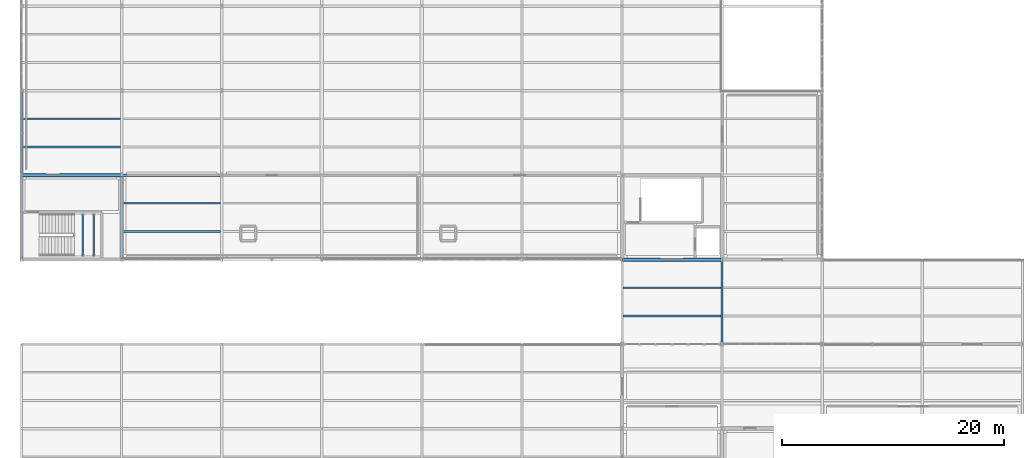
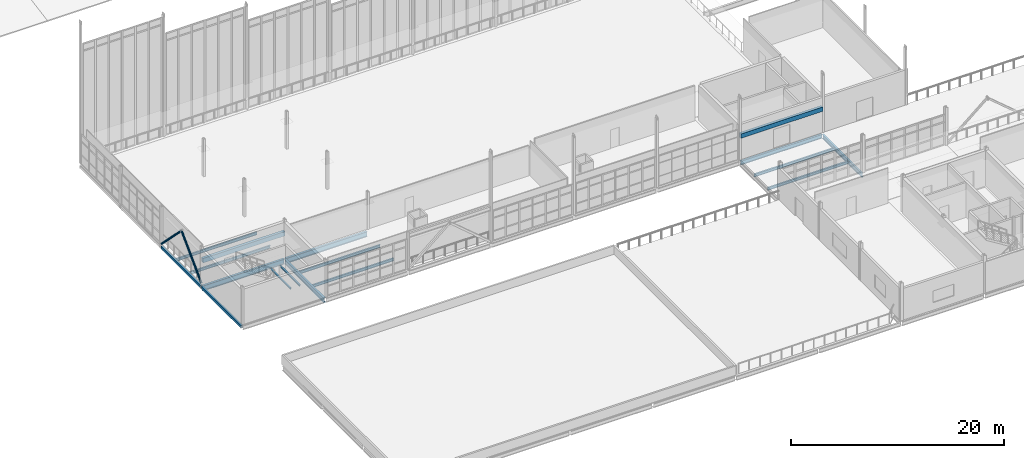
# One storey, part 36 of 166: 17 beams, 2 members.
"""IFC4 building model written with IfcOpenShell, lengths in metres."""

from ifc_helpers import new_model, si_unit, direction, frame, origin, origin_2d, place, context, subcontext, project, spatial, rectangle, hollow_rectangle, hollow_circle, i_section, extrude, material, material_profile, profile_set, type_object, element, save


model = new_model("IFC4")

# Units and contexts
model_context = context("Model", 3, precision=1e-05, world=origin(), true_north=direction((0.0, 1.0)))
body_context = subcontext(model_context, "Body", "Model", "MODEL_VIEW")
ifc_project = project(units=[si_unit("LENGTHUNIT", "METRE"), si_unit("AREAUNIT", "SQUARE_METRE"), si_unit("VOLUMEUNIT", "CUBIC_METRE"), si_unit("PLANEANGLEUNIT", "RADIAN"), si_unit("MASSUNIT", "GRAM", prefix="KILO")], contexts=[model_context])

# Site, building, storey
site_placement = place(None, origin())
site = spatial("IfcSite", under=ifc_project, at=site_placement, CompositionType="ELEMENT")
building_placement = place(site_placement, origin())
building = spatial("IfcBuilding", under=site, at=building_placement, Name="Caisbarro Railhouse Central Library", CompositionType="ELEMENT")
storey_placement = place(building_placement, frame((0.0, 0.0, 9.360107421875)))
storey = spatial("IfcBuildingStorey", under=building, at=storey_placement, Name="L02", CompositionType="ELEMENT", Elevation=9.360107421875)

# Beams
ifc_material_1 = material(Name="Steel ASTM A572 Grade 50", Category="steel")
ifc_material_profile_1 = material_profile(ifc_material_1, i_section(OverallWidth=0.22802734375, OverallDepth=0.60791015625, WebThickness=0.01123046875, FlangeThickness=0.017333984375, FilletRadius=0.02197265625, at=origin_2d()), Name="W610X113.0")
ifc_profile_set_1 = profile_set([ifc_material_profile_1], Name="Steel ASTM A572 Grade 50")
beam_type_1 = type_object("IfcBeamType", Name="BM-G04", PredefinedType="BEAM", material=ifc_profile_set_1)
for number, where, z_axis, x_axis, name in (
    (1, (0.080078125, 38.0, -0.524169921875), (1.0, 0.0, 0.0), (0.0, 1.0, 0.0), "G04 beam L02 #1359"),
    (2, (9.080078125, 38.0, -0.524169921875), (1.0, 0.0, 0.0), (0.0, 1.0, 0.0), "G04 beam L02 #1360"),
):
    element("IfcBeam", number, at=place(storey_placement, frame(where, z_axis=z_axis, x_axis=x_axis)), inside=storey, type_object=beam_type_1, Name=name, PredefinedType="BEAM", context=body_context, shape_type="SweptSolid", body=[
        extrude(i_section(OverallWidth=0.22802734375, OverallDepth=0.60791015625, WebThickness=0.01123046875, FlangeThickness=0.017333984375, FilletRadius=0.02197265625, at=origin_2d()), origin(), (0.0, 0.0, 1.0), 8.83984375),
    ])
ifc_material_profile_2 = material_profile(ifc_material_1, i_section(OverallWidth=0.208984375, OverallDepth=0.532958984375, WebThickness=0.01025390625, FlangeThickness=0.015625, FilletRadius=0.02001953125, at=origin_2d()), Name="W530X92.0")
ifc_profile_set_2 = profile_set([ifc_material_profile_2], Name="Steel ASTM A572 Grade 50")
beam_type_2 = type_object("IfcBeamType", Name="BM-G06", PredefinedType="BEAM", material=ifc_profile_set_2)
beam_1_placement = place(storey_placement, frame((9.0, 30.47998046875, -0.486572265625), z_axis=(0.0, 1.0, 0.0), x_axis=(-1.0, 0.0, 0.0)))
element("IfcBeam", 3, at=beam_1_placement, inside=storey, type_object=beam_type_2, Name="G06 beam L02 #1392", PredefinedType="BEAM", context=body_context, shape_type="SweptSolid", body=[
    extrude(i_section(OverallWidth=0.208984375, OverallDepth=0.532958984375, WebThickness=0.01025390625, FlangeThickness=0.015625, FilletRadius=0.02001953125, at=origin_2d()), origin(), (0.0, 0.0, 1.0), 7.43994140625),
])
ifc_material_profile_3 = material_profile(ifc_material_1, i_section(OverallWidth=0.194091796875, OverallDepth=0.468994140625, WebThickness=0.0126953125, FlangeThickness=0.0205078125, FilletRadius=0.01806640625, at=origin_2d()), Name="W460X106.0")
ifc_profile_set_3 = profile_set([ifc_material_profile_3], Name="Steel ASTM A572 Grade 50")
beam_type_3 = type_object("IfcBeamType", Name="BM-G07", PredefinedType="BEAM", material=ifc_profile_set_3)
beam_2_placement = place(storey_placement, frame((63.0, 22.8798828125, -0.444580078125), z_axis=(0.0, 1.0, 0.0), x_axis=(-1.0, 0.0, 0.0)))
element("IfcBeam", 4, at=beam_2_placement, inside=storey, type_object=beam_type_3, Name="G07 beam L02 #1613", PredefinedType="BEAM", context=body_context, shape_type="SweptSolid", body=[
    extrude(i_section(OverallWidth=0.194091796875, OverallDepth=0.468994140625, WebThickness=0.0126953125, FlangeThickness=0.0205078125, FilletRadius=0.01806640625, at=origin_2d()), origin(), (0.0, 0.0, 1.0), 7.440185546875),
])
ifc_material_profile_4 = material_profile(ifc_material_1, i_section(OverallWidth=0.1669921875, OverallDepth=0.31689453125, WebThickness=0.007568359375, FlangeThickness=0.01318359375, FilletRadius=0.011962890625, at=origin_2d()), Name="W310X52.0")
ifc_profile_set_4 = profile_set([ifc_material_profile_4], Name="Steel ASTM A572 Grade 50")
beam_type_4 = type_object("IfcBeamType", Name="BM-J02", PredefinedType="JOIST", material=ifc_profile_set_4)
for number, where, z_axis, x_axis, name in (
    (5, (54.096923828125, 25.333251953125, -0.36865234375), (1.0, 0.0, 0.0), (0.0, 1.0, 0.0), "J02 beam L02 #1618"),
    (6, (54.096923828125, 27.86669921875, -0.36865234375), (1.0, 0.0, 0.0), (0.0, 1.0, 0.0), "J02 beam L02 #1619"),
):
    element("IfcBeam", number, at=place(storey_placement, frame(where, z_axis=z_axis, x_axis=x_axis)), inside=storey, type_object=beam_type_4, Name=name, PredefinedType="JOIST", context=body_context, shape_type="SweptSolid", body=[
        extrude(i_section(OverallWidth=0.1669921875, OverallDepth=0.31689453125, WebThickness=0.007568359375, FlangeThickness=0.01318359375, FilletRadius=0.011962890625, at=origin_2d()), origin(), (0.0, 0.0, 1.0), 8.80615234375),
    ])
ifc_material_profile_5 = material_profile(ifc_material_1, i_section(OverallWidth=0.1650390625, OverallDepth=0.31005859375, WebThickness=0.005859375, FlangeThickness=0.009765625, FilletRadius=0.011962890625, at=origin_2d()), Name="W310X38.7")
ifc_profile_set_5 = profile_set([ifc_material_profile_5], Name="Steel ASTM A572 Grade 50")
beam_type_5 = type_object("IfcBeamType", Name="BM-J03", PredefinedType="JOIST", material=ifc_profile_set_5)
for number, where, z_axis, x_axis, name in (
    (7, (0.10009765625, 40.533203125, -0.375), (1.0, 0.0, 0.0), (0.0, 1.0, 0.0), "J03 beam L02 #1420"),
    (8, (0.10009765625, 43.066650390625, -0.375), (1.0, 0.0, 0.0), (0.0, 1.0, 0.0), "J03 beam L02 #1421"),
):
    element("IfcBeam", number, at=place(storey_placement, frame(where, z_axis=z_axis, x_axis=x_axis)), inside=storey, type_object=beam_type_5, Name=name, PredefinedType="JOIST", context=body_context, shape_type="SweptSolid", body=[
        extrude(i_section(OverallWidth=0.1650390625, OverallDepth=0.31005859375, WebThickness=0.005859375, FlangeThickness=0.009765625, FilletRadius=0.011962890625, at=origin_2d()), origin(), (0.0, 0.0, 1.0), 8.79541015625),
    ])
for number, where, z_axis, x_axis, name in (
    (9, (9.1044921875, 32.933349609375, -0.375), (1.0, 0.0, 0.0), (0.0, 1.0, 0.0), "J03 beam L02 #1426"),
    (10, (9.1044921875, 35.466796875, -0.375), (1.0, 0.0, 0.0), (0.0, 1.0, 0.0), "J03 beam L02 #1427"),
):
    element("IfcBeam", number, at=place(storey_placement, frame(where, z_axis=z_axis, x_axis=x_axis)), inside=storey, type_object=beam_type_5, Name=name, PredefinedType="JOIST", context=body_context, shape_type="SweptSolid", body=[
        extrude(i_section(OverallWidth=0.1650390625, OverallDepth=0.31005859375, WebThickness=0.005859375, FlangeThickness=0.009765625, FilletRadius=0.011962890625, at=origin_2d()), origin(), (0.0, 0.0, 1.0), 8.791015625),
    ])
ifc_material_2 = material(Name="Concrete C40", Category="concrete")
ifc_material_profile_6 = material_profile(ifc_material_2, rectangle(XDim=0.300048828125, YDim=0.5, at=origin_2d()), Name="RC-LIN-300X500")
ifc_profile_set_6 = profile_set([ifc_material_profile_6], Name="Concrete C40")
beam_type_6 = type_object("IfcBeamType", Name="BM-LN02", PredefinedType="LINTEL", material=ifc_profile_set_6)
for number, where, z_axis, x_axis, name in (
    (11, (54.050048828125, 30.39990234375, 2.699951171875), (1.0, 0.0, 0.0), (0.0, 1.0, 0.0), "LN02 RC core coupling lintel K4 L02"),
    (12, (0.050048828125, 38.0, 2.699951171875), (1.0, 0.0, 0.0), (0.0, 1.0, 0.0), "LN02 RC core coupling lintel K6 L02"),
):
    element("IfcBeam", number, at=place(storey_placement, frame(where, z_axis=z_axis, x_axis=x_axis)), inside=storey, type_object=beam_type_6, Name=name, PredefinedType="LINTEL", context=body_context, shape_type="SweptSolid", body=[
        extrude(rectangle(XDim=0.300048828125, YDim=0.5, at=origin_2d()), origin(), (0.0, 0.0, 1.0), 8.89990234375),
    ])
ifc_material_profile_7 = material_profile(ifc_material_1, i_section(OverallWidth=0.152099609375, OverallDepth=0.152099609375, WebThickness=0.005859375, FlangeThickness=0.006591796875, FilletRadius=0.008056640625, at=origin_2d()), Name="W150X22.5")
ifc_profile_set_7 = profile_set([ifc_material_profile_7], Name="Steel ASTM A572 Grade 50")
beam_type_7 = type_object("IfcBeamType", Name="BM-SL02", PredefinedType="BEAM", material=ifc_profile_set_7)
for number, where, z_axis, x_axis, name in (
    (13, (5.5, 30.780029296875, 1.893798828125), (0.0, 1.0, 0.0), (-1.0, 0.0, 0.0), "SL02 Stair Landing Support Beam K6 L02 W"),
    (14, (6.5, 30.780029296875, 1.893798828125), (0.0, 1.0, 0.0), (-1.0, 0.0, 0.0), "SL02 Stair Landing Support Beam K6 L02 E"),
):
    element("IfcBeam", number, at=place(storey_placement, frame(where, z_axis=z_axis, x_axis=x_axis)), inside=storey, type_object=beam_type_7, Name=name, PredefinedType="BEAM", context=body_context, shape_type="SweptSolid", body=[
        extrude(i_section(OverallWidth=0.152099609375, OverallDepth=0.152099609375, WebThickness=0.005859375, FlangeThickness=0.006591796875, FilletRadius=0.008056640625, at=origin_2d()), origin(), (0.0, 0.0, 1.0), 3.68994140625),
    ])
ifc_material_profile_8 = material_profile(ifc_material_1, i_section(OverallWidth=0.18994140625, OverallDepth=0.45703125, WebThickness=0.009033203125, FlangeThickness=0.014404296875, FilletRadius=0.01806640625, at=origin_2d()), Name="W460X74.0")
ifc_profile_set_8 = profile_set([ifc_material_profile_8], Name="Steel ASTM A572 Grade 50")
beam_type_8 = type_object("IfcBeamType", Name="BM-SP01", PredefinedType="SPANDREL", material=ifc_profile_set_8)
beam_3_placement = place(storey_placement, frame((54.080078125, 30.39990234375, -0.448486328125), z_axis=(1.0, 0.0, 0.0), x_axis=(0.0, 1.0, 0.0)))
element("IfcBeam", 15, at=beam_3_placement, inside=storey, type_object=beam_type_8, Name="SP01 beam L02 #1357", PredefinedType="SPANDREL", context=body_context, shape_type="SweptSolid", body=[
    extrude(i_section(OverallWidth=0.18994140625, OverallDepth=0.45703125, WebThickness=0.009033203125, FlangeThickness=0.014404296875, FilletRadius=0.01806640625, at=origin_2d()), origin(), (0.0, 0.0, 1.0), 8.83984375),
])
ifc_material_profile_9 = material_profile(ifc_material_1, hollow_rectangle(XDim=0.199951171875, YDim=0.300048828125, WallThickness=0.012451171875, at=origin_2d()), Name="HSS300X200X12.5")
ifc_profile_set_9 = profile_set([ifc_material_profile_9], Name="Steel ASTM A572 Grade 50")
beam_type_9 = type_object("IfcBeamType", Name="BM-SP02", PredefinedType="SPANDREL", material=ifc_profile_set_9)
for number, where, z_axis, x_axis, name in (
    (16, (0.0, 30.47998046875, -0.3701171875), (0.0, 1.0, 0.0), (-1.0, 0.0, 0.0), "SP02 beam L02 #1388"),
    (17, (0.0, 38.080078125, -0.3701171875), (0.0, 1.0, 0.0), (-1.0, 0.0, 0.0), "SP02 beam L02 #1389"),
):
    element("IfcBeam", number, at=place(storey_placement, frame(where, z_axis=z_axis, x_axis=x_axis)), inside=storey, type_object=beam_type_9, Name=name, PredefinedType="SPANDREL", context=body_context, shape_type="SweptSolid", body=[
        extrude(hollow_rectangle(XDim=0.199951171875, YDim=0.300048828125, WallThickness=0.012451171875, at=origin_2d()), origin(), (0.0, 0.0, 1.0), 7.43994140625),
    ])

# Members
ifc_material_profile_10 = material_profile(ifc_material_1, hollow_circle(Radius=0.109619140625, WallThickness=0.010009765625, at=origin_2d()), Name="CHS219.1X10")
ifc_profile_set_10 = profile_set([ifc_material_profile_10], Name="Steel ASTM A572 Grade 50")
member_type = type_object("IfcMemberType", Name="MEM-BR03", PredefinedType="BRACE", material=ifc_profile_set_10)
for number, where, z_axis, x_axis, name in (
    (18, (0.0, 38.06005859375, 0.019775390625), (0.0, 0.705173119443, 0.709035169519), (-1.0, 0.0, 0.0), "BR03 chevron brace X0-M L02.1"),
    (19, (0.0, 45.5400390625, 0.019775390625), (0.0, -0.705173119443, 0.709035169519), (1.0, 0.0, 0.0), "BR03 chevron brace X0-M L02.2"),
):
    element("IfcMember", number, at=place(storey_placement, frame(where, z_axis=z_axis, x_axis=x_axis)), inside=storey, type_object=member_type, Name=name, PredefinedType="BRACE", context=body_context, shape_type="SweptSolid", body=[
        extrude(hollow_circle(Radius=0.109619140625, WallThickness=0.010009765625, at=origin_2d()), origin(), (0.0, 0.0, 1.0), 5.246826171875),
    ])

save(model, "model.ifc")
